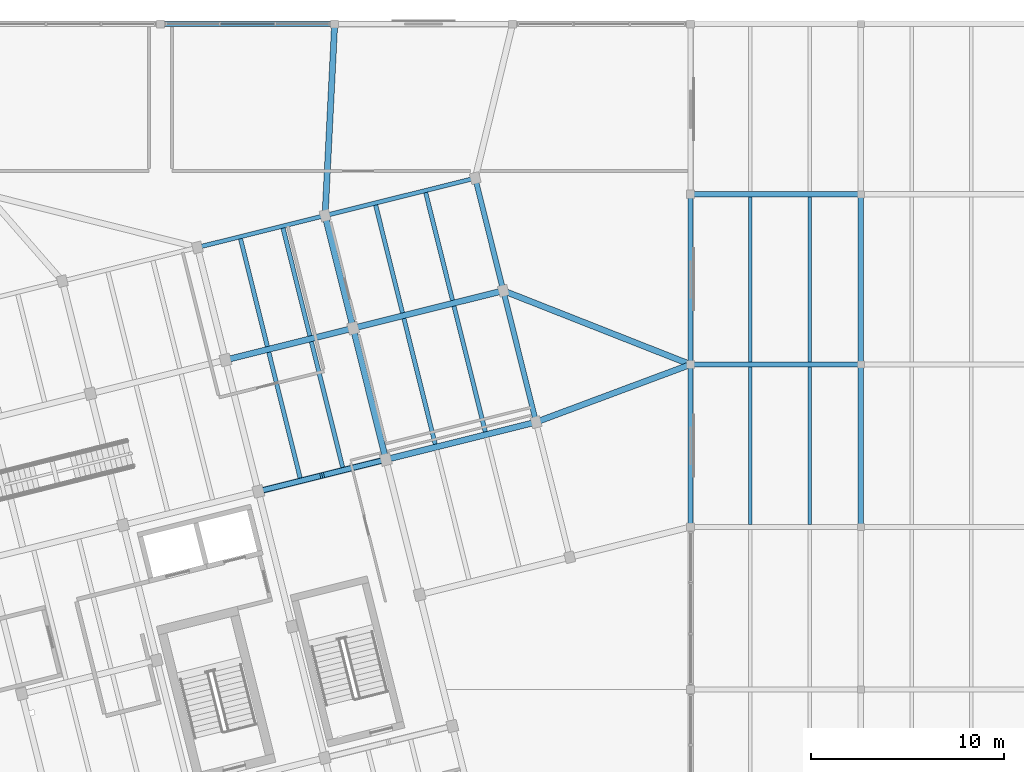
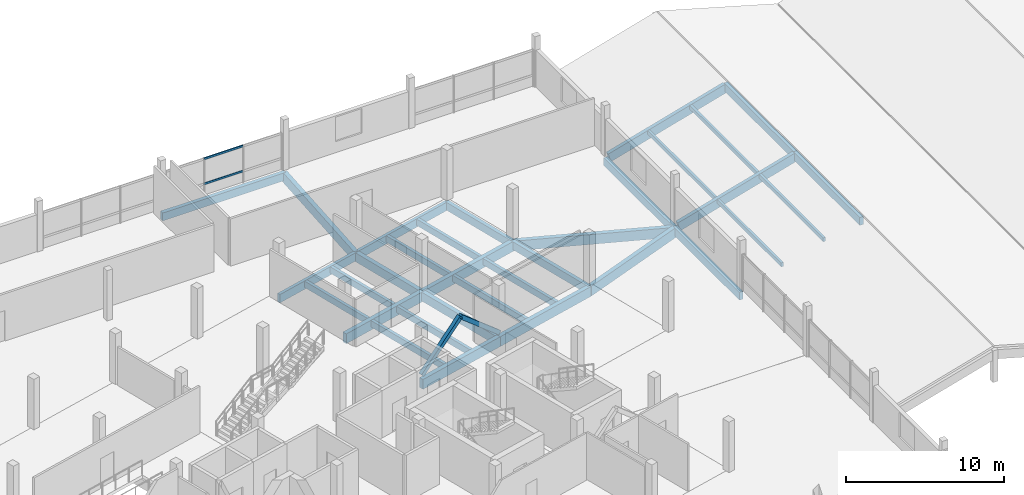
# One storey, part 35 of 47: 28 beams, 8 members, 1 element without a shape of its own.
"""IFC4 building model written with IfcOpenShell, lengths in metres."""

from ifc_helpers import new_model, si_unit, direction, frame, origin, origin_2d, place, context, subcontext, project, spatial, rectangle, hollow_rectangle, extrude, material, layer, layer_set, material_profile, profile_set, type_object, element, aggregate, save


model = new_model("IFC4")

# Units and contexts
model_context = context("Model", 3, precision=1e-05, world=origin(), true_north=direction((0.0, 1.0)))
body_context = subcontext(model_context, "Body", "Model", "MODEL_VIEW")
ifc_project = project(units=[si_unit("LENGTHUNIT", "METRE"), si_unit("AREAUNIT", "SQUARE_METRE"), si_unit("VOLUMEUNIT", "CUBIC_METRE"), si_unit("PLANEANGLEUNIT", "RADIAN"), si_unit("MASSUNIT", "GRAM", prefix="KILO")], contexts=[model_context])

# Site, building, storey
site_placement = place(None, origin())
site = spatial("IfcSite", under=ifc_project, at=site_placement, CompositionType="ELEMENT")
building_placement = place(site_placement, origin())
building = spatial("IfcBuilding", under=site, at=building_placement, Name="Meriwether Solvik Hall", CompositionType="ELEMENT")
storey_placement = place(building_placement, frame((0.0, 0.0, 18.300048828125)))
storey = spatial("IfcBuildingStorey", under=building, at=storey_placement, Name="L04", CompositionType="ELEMENT", Elevation=18.300048828125)

# Beams
ifc_material_1 = material(Name="Glulam Douglas-Fir 24F-V8 GL28h", Category="wood")
ifc_material_profile_1 = material_profile(ifc_material_1, rectangle(XDim=0.221923828125, YDim=0.64501953125, at=origin_2d()), Name="GLB-222X645")
ifc_profile_set_1 = profile_set([ifc_material_profile_1], Name="Glulam Douglas-Fir 24F-V8 GL28h")
beam_type_1 = type_object("IfcBeamType", Name="BM-GL-222X645", PredefinedType="SPANDREL", material=ifc_profile_set_1)
beam_1_placement = place(storey_placement, frame((88.707275390625, 81.254150390625, -0.567626953125), z_axis=(0.970298579828, 0.24191045034, 0.0), x_axis=(-0.24191045034, 0.970298579828, 0.0)))
element("IfcBeam", 1, at=beam_1_placement, inside=storey, type_object=beam_type_1, Name="Tower Girder TF:T5-T6 (L04)", PredefinedType="SPANDREL", context=body_context, shape_type="SweptSolid", body=[
    extrude(rectangle(XDim=0.221923828125, YDim=0.64501953125, at=origin_2d()), origin(), (0.0, 0.0, 1.0), 6.800048828125),
])
beam_2_placement = place(storey_placement, frame((95.305419921875, 82.899169921875, -0.567626953125), z_axis=(0.970289525963, 0.24194676234, 0.0), x_axis=(-0.24194676234, 0.970289525963, 0.0)))
element("IfcBeam", 2, at=beam_2_placement, inside=storey, type_object=beam_type_1, Name="Tower Girder TF:T6-T7 (L04)", PredefinedType="SPANDREL", context=body_context, shape_type="SweptSolid", body=[
    extrude(rectangle(XDim=0.221923828125, YDim=0.64501953125, at=origin_2d()), origin(), (0.0, 0.0, 1.0), 8.0),
])
ifc_material_2 = material(Name="Glulam Douglas-Fir 24F-V8 GL28h", Category="wood")
ifc_material_profile_2 = material_profile(ifc_material_2, rectangle(XDim=0.27294921875, YDim=0.610107421875, at=origin_2d()), Name="GLB-273X610")
ifc_profile_set_2 = profile_set([ifc_material_profile_2], Name="Glulam Douglas-Fir 24F-V8 GL28h")
beam_type_2 = type_object("IfcBeamType", Name="BM-GL-273X610", PredefinedType="SPANDREL", material=ifc_profile_set_2)
beam_3_placement = place(storey_placement, frame((86.800048828125, 92.800048828125, -0.550048828125), z_axis=(1.0, 0.0, 0.0), x_axis=(0.0, 1.0, 0.0)))
element("IfcBeam", 3, at=beam_3_placement, inside=storey, type_object=beam_type_2, Name="Podium Girder K:10-11 (L04)", PredefinedType="SPANDREL", context=body_context, shape_type="SweptSolid", body=[
    extrude(rectangle(XDim=0.27294921875, YDim=0.610107421875, at=origin_2d()), origin(), (0.0, 0.0, 1.0), 9.0),
])
beam_4_placement = place(storey_placement, frame((114.199951171875, 66.800048828125, -0.550048828125), z_axis=(0.0, 1.0, 0.0), x_axis=(-1.0, 0.0, 0.0)))
element("IfcBeam", 4, at=beam_4_placement, inside=storey, type_object=beam_type_2, Name="Podium Girder 13:H-I (L04)", PredefinedType="SPANDREL", context=body_context, shape_type="SweptSolid", body=[
    extrude(rectangle(XDim=0.27294921875, YDim=0.610107421875, at=origin_2d()), origin(), (0.0, 0.0, 1.0), 8.39990234375),
])
beam_5_placement = place(storey_placement, frame((114.199951171875, 75.199951171875, -0.550048828125), z_axis=(0.0, 1.0, 0.0), x_axis=(-1.0, 0.0, 0.0)))
element("IfcBeam", 5, at=beam_5_placement, inside=storey, type_object=beam_type_2, Name="Podium Girder 13:I-J (L04)", PredefinedType="SPANDREL", context=body_context, shape_type="SweptSolid", body=[
    extrude(rectangle(XDim=0.27294921875, YDim=0.610107421875, at=origin_2d()), origin(), (0.0, 0.0, 1.0), 8.800048828125),
])
beam_6_placement = place(storey_placement, frame((123.0, 66.800048828125, 2.15576171875), z_axis=(0.0, 1.0, 0.0), x_axis=(-1.0, 0.0, 0.0)))
element("IfcBeam", 6, at=beam_6_placement, inside=storey, type_object=beam_type_2, Name="Roof Tie Beam 14:H-I (L04)", PredefinedType="SPANDREL", context=body_context, shape_type="SweptSolid", body=[
    extrude(rectangle(XDim=0.27294921875, YDim=0.610107421875, at=origin_2d()), origin(), (0.0, 0.0, 1.0), 8.39990234375),
])
beam_7_placement = place(storey_placement, frame((123.0, 75.199951171875, 2.15576171875), z_axis=(0.0, 1.0, 0.0), x_axis=(-1.0, 0.0, 0.0)))
element("IfcBeam", 7, at=beam_7_placement, inside=storey, type_object=beam_type_2, Name="Roof Tie Beam 14:I-J (L04)", PredefinedType="SPANDREL", context=body_context, shape_type="SweptSolid", body=[
    extrude(rectangle(XDim=0.27294921875, YDim=0.610107421875, at=origin_2d()), origin(), (0.0, 0.0, 1.0), 8.800048828125),
])
beam_8_placement = place(storey_placement, frame((106.212646484375, 72.220703125, -0.550048828125), z_axis=(-0.241903692719, 0.970300264582, 0.0), x_axis=(-0.970300264582, -0.241903692719, 0.0)))
element("IfcBeam", 8, at=beam_8_placement, inside=storey, type_object=beam_type_2, Name="Tower Girder T7:TD-TE (L04)", PredefinedType="SPANDREL", context=body_context, shape_type="SweptSolid", body=[
    extrude(rectangle(XDim=0.27294921875, YDim=0.610107421875, at=origin_2d()), origin(), (0.0, 0.0, 1.0), 7.000244140625),
])
beam_9_placement = place(storey_placement, frame((104.519287109375, 79.012939453125, -0.550048828125), z_axis=(-0.241941986192, 0.970290716908, 0.0), x_axis=(-0.970290716908, -0.241941986192, 0.0)))
element("IfcBeam", 9, at=beam_9_placement, inside=storey, type_object=beam_type_2, Name="Tower Girder T7:TE-TF (L04)", PredefinedType="SPANDREL", context=body_context, shape_type="SweptSolid", body=[
    extrude(rectangle(XDim=0.27294921875, YDim=0.610107421875, at=origin_2d()), origin(), (0.0, 0.0, 1.0), 6.0),
])
ifc_material_3 = material(Name="Glulam Douglas-Fir 24F-V8 GL28h", Category="wood")
ifc_material_profile_3 = material_profile(ifc_material_3, rectangle(XDim=0.27294921875, YDim=0.68505859375, at=origin_2d()), Name="GLB-273X685")
ifc_profile_set_3 = profile_set([ifc_material_profile_3], Name="Glulam Douglas-Fir 24F-V8 GL28h")
beam_type_3 = type_object("IfcBeamType", Name="BM-GL-273X685", PredefinedType="BEAM", material=ifc_profile_set_3)
for number, where, z_axis, x_axis, name in (
    (10, (114.4208984375, 75.199951171875, -0.31298828125), (0.962504746474, 0.0, 0.271264839252), (0.0, 1.0, 0.0), "Raking Glulam Roof Rafter w3_fold_1w-I (L04)"),
    (11, (114.4208984375, 84.0, -0.31298828125), (0.962504746474, 0.0, 0.271264839252), (0.0, 1.0, 0.0), "Raking Glulam Roof Rafter w3_fold_1w-J (L04)"),
):
    element("IfcBeam", number, at=place(storey_placement, frame(where, z_axis=z_axis, x_axis=x_axis)), inside=storey, type_object=beam_type_3, Name=name, PredefinedType="BEAM", context=body_context, shape_type="SweptSolid", body=[
        extrude(rectangle(XDim=0.27294921875, YDim=0.68505859375, at=origin_2d()), origin(), (0.0, 0.0, 1.0), 8.876708984375),
    ])
ifc_material_4 = material(Name="Glulam Douglas-Fir 24F-V8 GL28h", Category="wood")
ifc_material_profile_4 = material_profile(ifc_material_4, rectangle(XDim=0.31494140625, YDim=0.68505859375, at=origin_2d()), Name="GLB-315X685")
ifc_profile_set_4 = profile_set([ifc_material_profile_4], Name="Glulam Douglas-Fir 24F-V8 GL28h")
beam_type_4 = type_object("IfcBeamType", Name="BM-GL-315X685", PredefinedType="BEAM", material=ifc_profile_set_4)
beam_10_placement = place(storey_placement, frame((98.4501953125, 70.285400390625, -0.587646484375), z_axis=(-0.241911879182, 0.970298223594, 0.0), x_axis=(-0.970298223594, -0.241911879182, 0.0)))
element("IfcBeam", 12, at=beam_10_placement, inside=storey, type_object=beam_type_4, Name="Tower Girder T6:TD-TE (L04)", PredefinedType="BEAM", context=body_context, shape_type="SweptSolid", body=[
    extrude(rectangle(XDim=0.31494140625, YDim=0.68505859375, at=origin_2d()), origin(), (0.0, 0.0, 1.0), 7.0),
])
beam_11_placement = place(storey_placement, frame((96.7568359375, 77.077392578125, -0.587646484375), z_axis=(-0.241903677572, 0.970300268359, 0.0), x_axis=(-0.970300268359, -0.241903677572, 0.0)))
element("IfcBeam", 13, at=beam_11_placement, inside=storey, type_object=beam_type_4, Name="Tower Girder T6:TE-TF (L04)", PredefinedType="BEAM", context=body_context, shape_type="SweptSolid", body=[
    extrude(rectangle(XDim=0.31494140625, YDim=0.68505859375, at=origin_2d()), origin(), (0.0, 0.0, 1.0), 6.0),
])
ifc_material_5 = material(Name="Glulam Douglas-Fir 24F-V8 GL28h", Category="wood")
ifc_material_profile_5 = material_profile(ifc_material_5, rectangle(XDim=0.31494140625, YDim=0.760009765625, at=origin_2d()), Name="GLB-315X760")
ifc_profile_set_5 = profile_set([ifc_material_profile_5], Name="Glulam Douglas-Fir 24F-V8 GL28h")
beam_type_5 = type_object("IfcBeamType", Name="BM-GL-315X760", PredefinedType="BEAM", material=ifc_profile_set_5)
beam_12_placement = place(storey_placement, frame((95.305419921875, 82.899169921875, -0.625), z_axis=(0.049895854105, 0.998754426144, 0.0), x_axis=(-0.998754426144, 0.049895854105, 0.0)))
element("IfcBeam", 14, at=beam_12_placement, inside=storey, type_object=beam_type_5, Name="Diaphragm Collector Girder T6/TF-11/K (L04)", PredefinedType="BEAM", context=body_context, shape_type="SweptSolid", body=[
    extrude(rectangle(XDim=0.31494140625, YDim=0.760009765625, at=origin_2d()), origin(), (0.0, 0.0, 1.0), 9.913330078125),
])
beam_13_placement = place(storey_placement, frame((106.212646484375, 72.220703125, -0.625), z_axis=(0.93694444662, 0.349478331156, 0.0), x_axis=(-0.349478331156, 0.93694444662, 0.0)))
element("IfcBeam", 15, at=beam_13_placement, inside=storey, type_object=beam_type_5, Name="Diaphragm Collector Girder T7/TD-13/I (L04)", PredefinedType="BEAM", context=body_context, shape_type="SweptSolid", body=[
    extrude(rectangle(XDim=0.31494140625, YDim=0.760009765625, at=origin_2d()), origin(), (0.0, 0.0, 1.0), 8.52490234375),
])
beam_14_placement = place(storey_placement, frame((104.519287109375, 79.012939453125, -0.625), z_axis=(0.930428275018, -0.366474044165, 0.0), x_axis=(0.366474044165, 0.930428275018, 0.0)))
element("IfcBeam", 16, at=beam_14_placement, inside=storey, type_object=beam_type_5, Name="Diaphragm Collector Girder T7/TE-13/I (L04)", PredefinedType="BEAM", context=body_context, shape_type="SweptSolid", body=[
    extrude(rectangle(XDim=0.31494140625, YDim=0.760009765625, at=origin_2d()), origin(), (0.0, 0.0, 1.0), 10.404541015625),
])
beam_15_placement = place(storey_placement, frame((91.852294921875, 68.640380859375, -0.625), z_axis=(0.970296478685, 0.241918877831, 0.0), x_axis=(-0.241918877831, 0.970296478685, 0.0)))
element("IfcBeam", 17, at=beam_15_placement, inside=storey, type_object=beam_type_5, Name="Tower Girder TD:T5-T6 (L04)", PredefinedType="BEAM", context=body_context, shape_type="SweptSolid", body=[
    extrude(rectangle(XDim=0.31494140625, YDim=0.760009765625, at=origin_2d()), origin(), (0.0, 0.0, 1.0), 6.7998046875),
])
beam_16_placement = place(storey_placement, frame((98.4501953125, 70.285400390625, -0.625), z_axis=(0.970298475929, 0.241910867076, 0.0), x_axis=(-0.241910867076, 0.970298475929, 0.0)))
element("IfcBeam", 18, at=beam_16_placement, inside=storey, type_object=beam_type_5, Name="Tower Girder TD:T6-T7 (L04)", PredefinedType="BEAM", context=body_context, shape_type="SweptSolid", body=[
    extrude(rectangle(XDim=0.31494140625, YDim=0.760009765625, at=origin_2d()), origin(), (0.0, 0.0, 1.0), 8.0),
])
beam_17_placement = place(storey_placement, frame((90.158935546875, 75.432373046875, -0.625), z_axis=(0.970296478685, 0.241918877831, 0.0), x_axis=(-0.241918877831, 0.970296478685, 0.0)))
element("IfcBeam", 19, at=beam_17_placement, inside=storey, type_object=beam_type_5, Name="Tower Girder TE:T5-T6 (L04)", PredefinedType="BEAM", context=body_context, shape_type="SweptSolid", body=[
    extrude(rectangle(XDim=0.31494140625, YDim=0.760009765625, at=origin_2d()), origin(), (0.0, 0.0, 1.0), 6.7998046875),
])
beam_18_placement = place(storey_placement, frame((96.7568359375, 77.077392578125, -0.625), z_axis=(0.970291312354, 0.241939598187, 0.0), x_axis=(-0.241939598187, 0.970291312354, 0.0)))
element("IfcBeam", 20, at=beam_18_placement, inside=storey, type_object=beam_type_5, Name="Tower Girder TE:T6-T7 (L04)", PredefinedType="BEAM", context=body_context, shape_type="SweptSolid", body=[
    extrude(rectangle(XDim=0.31494140625, YDim=0.760009765625, at=origin_2d()), origin(), (0.0, 0.0, 1.0), 8.000244140625),
])

# Curtain wall, members
ifc_material_6 = material(Name="Thermally Broken Anodised Aluminium 6063-T6 and Low-E Glass", Category="aluminium")
ifc_layer = layer(ifc_material_6, 0.179931640625)
ifc_layer_set = layer_set([ifc_layer], Name="Thermally Broken Anodised Aluminium 6063-T6 and Low-E Glass")
curtain_wall_type = type_object("IfcCurtainWallType", Name="CW-UNIT-E", PredefinedType="USERDEFINED", material=ifc_layer_set)
curtain_wall_placement = place(storey_placement, origin())
curtain_wall = element("IfcCurtainWall", 21, at=curtain_wall_placement, inside=storey, type_object=curtain_wall_type, Name="Curtain Wall wing_XK_10_9 (L04)", ObjectType="UNITISED CURTAIN WALL", PredefinedType="USERDEFINED")
ifc_material_7 = material(Name="Anodised Aluminium 6063-T6", Category="aluminium")
ifc_material_profile_6 = material_profile(ifc_material_7, hollow_rectangle(XDim=0.070068359375, YDim=0.14990234375, WallThickness=0.0048828125, at=origin_2d()), Name="CWT-70X150")
ifc_profile_set_6 = profile_set([ifc_material_profile_6], Name="Anodised Aluminium 6063-T6")
member_type_1 = type_object("IfcMemberType", Name="CW-TRN-70X150", PredefinedType="USERDEFINED", material=ifc_profile_set_6)
member_1_placement = place(storey_placement, frame((89.8740234375, 92.800048828125, 0.8564453125), z_axis=(1.0, 0.0, 0.0), x_axis=(0.0, 1.0, 0.0)))
member_1 = element("IfcMember", 22, at=member_1_placement, type_object=member_type_1, Name="Curtain Wall Transom 2-sill", ObjectType="TRANSOM", PredefinedType="USERDEFINED", context=body_context, shape_type="SweptSolid", body=[
    extrude(hollow_rectangle(XDim=0.070068359375, YDim=0.14990234375, WallThickness=0.0048828125, at=origin_2d()), origin(), (0.0, 0.0, 1.0), 2.85205078125),
])
member_2_placement = place(storey_placement, frame((89.8740234375, 92.800048828125, 2.794921875), z_axis=(1.0, 0.0, 0.0), x_axis=(0.0, 1.0, 0.0)))
member_2 = element("IfcMember", 23, at=member_2_placement, type_object=member_type_1, Name="Curtain Wall Transom 2-head", ObjectType="TRANSOM", PredefinedType="USERDEFINED", context=body_context, shape_type="SweptSolid", body=[
    extrude(hollow_rectangle(XDim=0.070068359375, YDim=0.14990234375, WallThickness=0.0048828125, at=origin_2d()), origin(), (0.0, 0.0, 1.0), 2.85205078125),
])
aggregate(curtain_wall, [member_1, member_2])

# Beams
ifc_material_8 = material(Name="Glulam Douglas-Fir 24F-V8 GL28h", Category="wood")
ifc_material_profile_7 = material_profile(ifc_material_8, rectangle(XDim=0.221923828125, YDim=0.4951171875, at=origin_2d()), Name="GLJ-222X495")
ifc_profile_set_7 = profile_set([ifc_material_profile_7], Name="Glulam Douglas-Fir 24F-V8 GL28h")
beam_type_6 = type_object("IfcBeamType", Name="JST-GL-222X495", PredefinedType="JOIST", material=ifc_profile_set_7)
for number, where, z_axis, x_axis, name in (
    (24, (94.0146484375, 69.336669921875, -0.492431640625), (-0.241917792922, 0.970296749179, 0.0), (-0.970296749179, -0.241917792922, 0.0), "Glulam Floor Joist T5/TD-J1 (L04)"),
    (25, (96.214111328125, 69.885009765625, -0.492431640625), (-0.241952124656, 0.970288188825, 0.0), (-0.970288188825, -0.241952124656, 0.0), "Glulam Floor Joist T5/TD-J2 (L04)"),
):
    element("IfcBeam", number, at=place(storey_placement, frame(where, z_axis=z_axis, x_axis=x_axis)), inside=storey, type_object=beam_type_6, Name=name, PredefinedType="JOIST", context=body_context, shape_type="SweptSolid", body=[
        extrude(rectangle(XDim=0.221923828125, YDim=0.4951171875, at=origin_2d()), origin(), (0.0, 0.0, 1.0), 6.695068359375),
    ])
for number, where, z_axis, x_axis, name in (
    (26, (92.3212890625, 76.128662109375, -0.492431640625), (-0.241905253991, 0.970299875343, 0.0), (-0.970299875343, -0.241905253991, 0.0), "Glulam Floor Joist T5/TE-J1 (L04)"),
    (27, (94.5205078125, 76.677001953125, -0.492431640625), (-0.241905253991, 0.970299875343, 0.0), (-0.970299875343, -0.241905253991, 0.0), "Glulam Floor Joist T5/TE-J2 (L04)"),
):
    element("IfcBeam", number, at=place(storey_placement, frame(where, z_axis=z_axis, x_axis=x_axis)), inside=storey, type_object=beam_type_6, Name=name, PredefinedType="JOIST", context=body_context, shape_type="SweptSolid", body=[
        extrude(rectangle(XDim=0.221923828125, YDim=0.4951171875, at=origin_2d()), origin(), (0.0, 0.0, 1.0), 5.741455078125),
    ])
for number, where, z_axis, x_axis, name in (
    (28, (101.0009765625, 71.07861328125, -0.492431640625), (-0.241952124656, 0.970288188825, 0.0), (-0.970288188825, -0.241952124656, 0.0), "Glulam Floor Joist T6/TD-J1 (L04)"),
    (29, (103.58837890625, 71.7236328125, -0.492431640625), (-0.241952124656, 0.970288188825, 0.0), (-0.970288188825, -0.241952124656, 0.0), "Glulam Floor Joist T6/TD-J2 (L04)"),
):
    element("IfcBeam", number, at=place(storey_placement, frame(where, z_axis=z_axis, x_axis=x_axis)), inside=storey, type_object=beam_type_6, Name=name, PredefinedType="JOIST", context=body_context, shape_type="SweptSolid", body=[
        extrude(rectangle(XDim=0.221923828125, YDim=0.4951171875, at=origin_2d()), origin(), (0.0, 0.0, 1.0), 6.695068359375),
    ])
for number, where, z_axis, x_axis, name in (
    (30, (99.307373046875, 77.87060546875, -0.492431640625), (-0.241915235082, 0.970297386905, 0.0), (-0.970297386905, -0.241915235082, 0.0), "Glulam Floor Joist T6/TE-J1 (L04)"),
    (31, (101.894775390625, 78.515625, -0.492431640625), (-0.241905253991, 0.970299875343, 0.0), (-0.970299875343, -0.241905253991, 0.0), "Glulam Floor Joist T6/TE-J2 (L04)"),
):
    element("IfcBeam", number, at=place(storey_placement, frame(where, z_axis=z_axis, x_axis=x_axis)), inside=storey, type_object=beam_type_6, Name=name, PredefinedType="JOIST", context=body_context, shape_type="SweptSolid", body=[
        extrude(rectangle(XDim=0.221923828125, YDim=0.4951171875, at=origin_2d()), origin(), (0.0, 0.0, 1.0), 5.741455078125),
    ])

# Members
ifc_material_9 = material(Name="Glulam Douglas-Fir 24F-V8 GL28h", Category="wood")
ifc_material_profile_8 = material_profile(ifc_material_9, rectangle(XDim=0.27294921875, YDim=0.304931640625, at=origin_2d()), Name="GLM-273X305")
ifc_profile_set_8 = profile_set([ifc_material_profile_8], Name="Glulam Douglas-Fir 24F-V8 GL28h")
member_type_2 = type_object("IfcMemberType", Name="MEM-BR-GL273", PredefinedType="BRACE", material=ifc_profile_set_8)
member_3_placement = place(storey_placement, frame((91.852294921875, 68.640380859375, 0.050048828125), z_axis=(0.739849577437, 0.184455948078, 0.646991967481), x_axis=(-0.24191045034, 0.970298579828, 0.0)))
element("IfcMember", 32, at=member_3_placement, inside=storey, type_object=member_type_2, Name="Tower Chevron Brace L04-B4A", PredefinedType="BRACE", context=body_context, shape_type="SweptSolid", body=[
    extrude(rectangle(XDim=0.27294921875, YDim=0.304931640625, at=origin_2d()), origin(), (0.0, 0.0, 1.0), 4.459228515625),
])
member_4_placement = place(storey_placement, frame((98.4501953125, 70.285400390625, 0.050048828125), z_axis=(-0.739824794414, -0.184463420099, 0.647018176109), x_axis=(0.241927305891, -0.970294377323, 0.0)))
element("IfcMember", 33, at=member_4_placement, inside=storey, type_object=member_type_2, Name="Tower Chevron Brace L04-B4B", PredefinedType="BRACE", context=body_context, shape_type="SweptSolid", body=[
    extrude(rectangle(XDim=0.27294921875, YDim=0.304931640625, at=origin_2d()), origin(), (0.0, 0.0, 1.0), 4.458984375),
])
ifc_material_10 = material(Name="Glulam Douglas-Fir 24F-V8 GL28h", Category="wood")
ifc_material_profile_9 = material_profile(ifc_material_10, rectangle(XDim=0.175048828125, YDim=0.304931640625, at=origin_2d()), Name="GLM-175X305")
ifc_profile_set_9 = profile_set([ifc_material_profile_9], Name="Glulam Douglas-Fir 24F-V8 GL28h")
member_type_3 = type_object("IfcMemberType", Name="MEM-PRL-GL175", PredefinedType="PURLIN", material=ifc_profile_set_9)
for number, where, z_axis, x_axis, name in (
    (34, (117.280029296875, 66.9326171875, 0.6962890625), (0.0, 1.0, 0.0), (-1.0, 0.0, 0.0), "Sloped Roof Glulam Purlin w3_fold_1w-3.1"),
    (35, (120.360107421875, 66.9326171875, 1.564208984375), (0.0, 1.0, 0.0), (-1.0, 0.0, 0.0), "Sloped Roof Glulam Purlin w3_fold_1w-3.2"),
):
    element("IfcMember", number, at=place(storey_placement, frame(where, z_axis=z_axis, x_axis=x_axis)), inside=storey, type_object=member_type_3, Name=name, PredefinedType="PURLIN", context=body_context, shape_type="SweptSolid", body=[
        extrude(rectangle(XDim=0.175048828125, YDim=0.304931640625, at=origin_2d()), origin(), (0.0, 0.0, 1.0), 8.134765625),
    ])
for number, where, z_axis, x_axis, name in (
    (36, (117.280029296875, 75.33251953125, 0.6962890625), (0.0, 1.0, 0.0), (-1.0, 0.0, 0.0), "Sloped Roof Glulam Purlin w3_fold_1w-4.1"),
    (37, (120.360107421875, 75.33251953125, 1.564208984375), (0.0, 1.0, 0.0), (-1.0, 0.0, 0.0), "Sloped Roof Glulam Purlin w3_fold_1w-4.2"),
):
    element("IfcMember", number, at=place(storey_placement, frame(where, z_axis=z_axis, x_axis=x_axis)), inside=storey, type_object=member_type_3, Name=name, PredefinedType="PURLIN", context=body_context, shape_type="SweptSolid", body=[
        extrude(rectangle(XDim=0.175048828125, YDim=0.304931640625, at=origin_2d()), origin(), (0.0, 0.0, 1.0), 8.534912109375),
    ])

save(model, "model.ifc")
